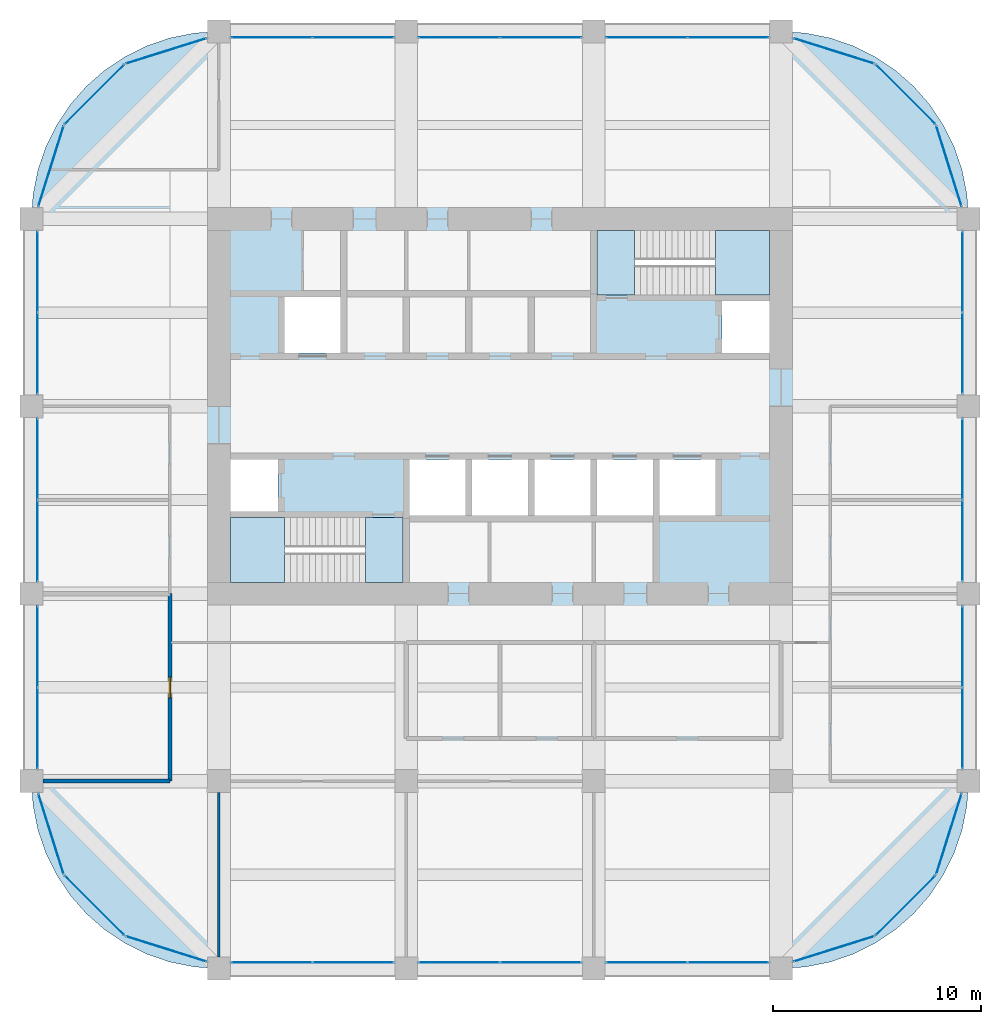
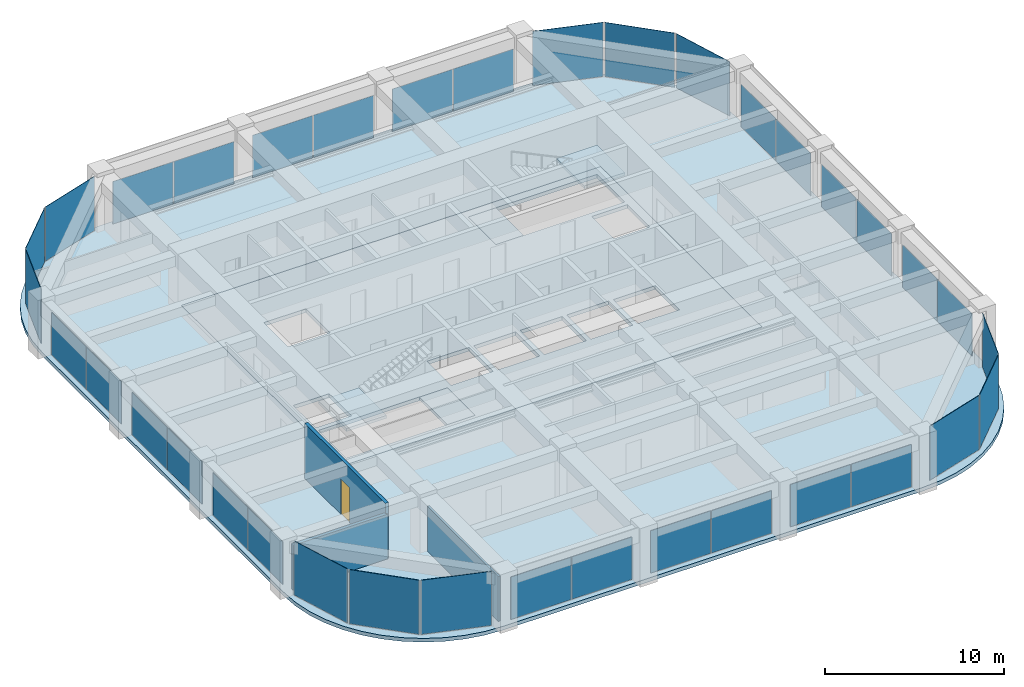
# One storey, part 40 of 44: 36 plates, 6 slabs, 3 walls, 1 door, 1 opening, 26 elements without a shape of their own.
"""IFC4 building model written with IfcOpenShell, lengths in metres."""

from ifc_helpers import new_model, si_unit, direction, frame, frame_2d, origin, origin_2d, place, context, subcontext, project, spatial, polyline, rectangle, outline, extrude, material, layer, layer_set, type_object, element, fill, aggregate, save


model = new_model("IFC4")

# Units and contexts
model_context = context("Model", 3, precision=1e-05, world=origin(), true_north=direction((0.0, 1.0)))
body_context = subcontext(model_context, "Body", "Model", "MODEL_VIEW")
ifc_project = project(units=[si_unit("LENGTHUNIT", "METRE"), si_unit("AREAUNIT", "SQUARE_METRE"), si_unit("VOLUMEUNIT", "CUBIC_METRE"), si_unit("PLANEANGLEUNIT", "RADIAN"), si_unit("MASSUNIT", "GRAM", prefix="KILO")], contexts=[model_context])

# Site, building, storey
site_placement = place(None, origin())
site = spatial("IfcSite", under=ifc_project, at=site_placement, CompositionType="ELEMENT")
building_placement = place(site_placement, origin())
building = spatial("IfcBuilding", under=site, at=building_placement, Name="Zorevar Civic Tower", CompositionType="ELEMENT")
storey_placement = place(building_placement, frame((0.0, 0.0, 263.39990234375)))
storey = spatial("IfcBuildingStorey", under=building, at=storey_placement, Name="L64", CompositionType="ELEMENT", Elevation=263.39990234375)

# Curtain wall, plates
ifc_material_1 = material(Name="Dark grey solar-control glass in black aluminium frame", Category="aluminium")
curtain_wall_type = type_object("IfcCurtainWallType", Name="Curtain wall CW5 top zone", PredefinedType="NOTDEFINED", material=ifc_material_1)
curtain_wall_1_placement = place(storey_placement, origin())
curtain_wall_1 = element("IfcCurtainWall", 1, at=curtain_wall_1_placement, inside=storey, type_object=curtain_wall_type, Name="CW5 L64", PredefinedType="NOTDEFINED")
ifc_material_2 = material(Name="Dark grey solar-control glass", Category="glass")
ifc_layer_1 = layer(ifc_material_2, 0.028076171875)
ifc_layer_set_1 = layer_set([ifc_layer_1], Name="CW5 panel 28")
plate_type = type_object("IfcPlateType", Name="CW5 panel 28", PredefinedType="CURTAIN_PANEL", material=ifc_layer_set_1)
plate_1_placement = place(storey_placement, frame((20.5400390625, 0.300048828125, 0.06005859375), z_axis=(0.0, 0.0, 1.0), x_axis=(1.0, 0.0, 0.0)))
plate_1 = element("IfcPlate", 2, at=plate_1_placement, type_object=plate_type, Name="CW5 panel 1.1", PredefinedType="CURTAIN_PANEL", context=body_context, shape_type="SweptSolid", body=[
    extrude(rectangle(XDim=3.860107421875, YDim=0.028076171875, at=origin_2d()), origin(), (0.0, 0.0, 1.0), 2.889892578125),
])
plate_2_placement = place(storey_placement, frame((24.4599609375, 0.300048828125, 0.06005859375), z_axis=(0.0, 0.0, 1.0), x_axis=(1.0, 0.0, 0.0)))
plate_2 = element("IfcPlate", 3, at=plate_2_placement, type_object=plate_type, Name="CW5 panel 2.1", PredefinedType="CURTAIN_PANEL", context=body_context, shape_type="SweptSolid", body=[
    extrude(rectangle(XDim=3.860107421875, YDim=0.028076171875, at=origin_2d()), origin(), (0.0, 0.0, 1.0), 2.889892578125),
])
aggregate(curtain_wall_1, [plate_1, plate_2])

curtain_wall_2_placement = place(storey_placement, origin())
curtain_wall_2 = element("IfcCurtainWall", 4, at=curtain_wall_2_placement, inside=storey, type_object=curtain_wall_type, Name="CW5 L64", PredefinedType="NOTDEFINED")
plate_3_placement = place(storey_placement, frame((20.5400390625, 44.699951171875, 0.06005859375), z_axis=(0.0, 0.0, 1.0), x_axis=(1.0, 0.0, 0.0)))
plate_3 = element("IfcPlate", 5, at=plate_3_placement, type_object=plate_type, Name="CW5 panel 1.1", PredefinedType="CURTAIN_PANEL", context=body_context, shape_type="SweptSolid", body=[
    extrude(rectangle(XDim=3.860107421875, YDim=0.028076171875, at=origin_2d()), origin(), (0.0, 0.0, 1.0), 2.889892578125),
])
plate_4_placement = place(storey_placement, frame((24.4599609375, 44.699951171875, 0.06005859375), z_axis=(0.0, 0.0, 1.0), x_axis=(1.0, 0.0, 0.0)))
plate_4 = element("IfcPlate", 6, at=plate_4_placement, type_object=plate_type, Name="CW5 panel 2.1", PredefinedType="CURTAIN_PANEL", context=body_context, shape_type="SweptSolid", body=[
    extrude(rectangle(XDim=3.860107421875, YDim=0.028076171875, at=origin_2d()), origin(), (0.0, 0.0, 1.0), 2.889892578125),
])
aggregate(curtain_wall_2, [plate_3, plate_4])

curtain_wall_3_placement = place(storey_placement, origin())
curtain_wall_3 = element("IfcCurtainWall", 7, at=curtain_wall_3_placement, inside=storey, type_object=curtain_wall_type, Name="CW5 L64", PredefinedType="NOTDEFINED")
plate_5_placement = place(storey_placement, frame((29.5400390625, 0.300048828125, 0.06005859375), z_axis=(0.0, 0.0, 1.0), x_axis=(1.0, 0.0, 0.0)))
plate_5 = element("IfcPlate", 8, at=plate_5_placement, type_object=plate_type, Name="CW5 panel 1.1", PredefinedType="CURTAIN_PANEL", context=body_context, shape_type="SweptSolid", body=[
    extrude(rectangle(XDim=3.860107421875, YDim=0.028076171875, at=origin_2d()), origin(), (0.0, 0.0, 1.0), 2.889892578125),
])
plate_6_placement = place(storey_placement, frame((33.4599609375, 0.300048828125, 0.06005859375), z_axis=(0.0, 0.0, 1.0), x_axis=(1.0, 0.0, 0.0)))
plate_6 = element("IfcPlate", 9, at=plate_6_placement, type_object=plate_type, Name="CW5 panel 2.1", PredefinedType="CURTAIN_PANEL", context=body_context, shape_type="SweptSolid", body=[
    extrude(rectangle(XDim=3.860107421875, YDim=0.028076171875, at=origin_2d()), origin(), (0.0, 0.0, 1.0), 2.889892578125),
])
aggregate(curtain_wall_3, [plate_5, plate_6])

curtain_wall_4_placement = place(storey_placement, origin())
curtain_wall_4 = element("IfcCurtainWall", 10, at=curtain_wall_4_placement, inside=storey, type_object=curtain_wall_type, Name="CW5 L64", PredefinedType="NOTDEFINED")
plate_7_placement = place(storey_placement, frame((29.5400390625, 44.699951171875, 0.06005859375), z_axis=(0.0, 0.0, 1.0), x_axis=(1.0, 0.0, 0.0)))
plate_7 = element("IfcPlate", 11, at=plate_7_placement, type_object=plate_type, Name="CW5 panel 1.1", PredefinedType="CURTAIN_PANEL", context=body_context, shape_type="SweptSolid", body=[
    extrude(rectangle(XDim=3.860107421875, YDim=0.028076171875, at=origin_2d()), origin(), (0.0, 0.0, 1.0), 2.889892578125),
])
plate_8_placement = place(storey_placement, frame((33.4599609375, 44.699951171875, 0.06005859375), z_axis=(0.0, 0.0, 1.0), x_axis=(1.0, 0.0, 0.0)))
plate_8 = element("IfcPlate", 12, at=plate_8_placement, type_object=plate_type, Name="CW5 panel 2.1", PredefinedType="CURTAIN_PANEL", context=body_context, shape_type="SweptSolid", body=[
    extrude(rectangle(XDim=3.860107421875, YDim=0.028076171875, at=origin_2d()), origin(), (0.0, 0.0, 1.0), 2.889892578125),
])
aggregate(curtain_wall_4, [plate_7, plate_8])

curtain_wall_5_placement = place(storey_placement, origin())
curtain_wall_5 = element("IfcCurtainWall", 13, at=curtain_wall_5_placement, inside=storey, type_object=curtain_wall_type, Name="CW5 L64", PredefinedType="NOTDEFINED")
plate_9_placement = place(storey_placement, frame((38.5400390625, 0.300048828125, 0.06005859375), z_axis=(0.0, 0.0, 1.0), x_axis=(1.0, 0.0, 0.0)))
plate_9 = element("IfcPlate", 14, at=plate_9_placement, type_object=plate_type, Name="CW5 panel 1.1", PredefinedType="CURTAIN_PANEL", context=body_context, shape_type="SweptSolid", body=[
    extrude(rectangle(XDim=3.860107421875, YDim=0.028076171875, at=origin_2d()), origin(), (0.0, 0.0, 1.0), 2.889892578125),
])
plate_10_placement = place(storey_placement, frame((42.4599609375, 0.300048828125, 0.06005859375), z_axis=(0.0, 0.0, 1.0), x_axis=(1.0, 0.0, 0.0)))
plate_10 = element("IfcPlate", 15, at=plate_10_placement, type_object=plate_type, Name="CW5 panel 2.1", PredefinedType="CURTAIN_PANEL", context=body_context, shape_type="SweptSolid", body=[
    extrude(rectangle(XDim=3.860107421875, YDim=0.028076171875, at=origin_2d()), origin(), (0.0, 0.0, 1.0), 2.889892578125),
])
aggregate(curtain_wall_5, [plate_9, plate_10])

curtain_wall_6_placement = place(storey_placement, origin())
curtain_wall_6 = element("IfcCurtainWall", 16, at=curtain_wall_6_placement, inside=storey, type_object=curtain_wall_type, Name="CW5 L64", PredefinedType="NOTDEFINED")
plate_11_placement = place(storey_placement, frame((38.5400390625, 44.699951171875, 0.06005859375), z_axis=(0.0, 0.0, 1.0), x_axis=(1.0, 0.0, 0.0)))
plate_11 = element("IfcPlate", 17, at=plate_11_placement, type_object=plate_type, Name="CW5 panel 1.1", PredefinedType="CURTAIN_PANEL", context=body_context, shape_type="SweptSolid", body=[
    extrude(rectangle(XDim=3.860107421875, YDim=0.028076171875, at=origin_2d()), origin(), (0.0, 0.0, 1.0), 2.889892578125),
])
plate_12_placement = place(storey_placement, frame((42.4599609375, 44.699951171875, 0.06005859375), z_axis=(0.0, 0.0, 1.0), x_axis=(1.0, 0.0, 0.0)))
plate_12 = element("IfcPlate", 18, at=plate_12_placement, type_object=plate_type, Name="CW5 panel 2.1", PredefinedType="CURTAIN_PANEL", context=body_context, shape_type="SweptSolid", body=[
    extrude(rectangle(XDim=3.860107421875, YDim=0.028076171875, at=origin_2d()), origin(), (0.0, 0.0, 1.0), 2.889892578125),
])
aggregate(curtain_wall_6, [plate_11, plate_12])

curtain_wall_7_placement = place(storey_placement, origin())
curtain_wall_7 = element("IfcCurtainWall", 19, at=curtain_wall_7_placement, inside=storey, type_object=curtain_wall_type, Name="CW5 L64", PredefinedType="NOTDEFINED")
plate_13_placement = place(storey_placement, frame((9.300048828125, 11.5400390625, 0.06005859375), z_axis=(0.0, 0.0, 1.0), x_axis=(0.0, 1.0, 0.0)))
plate_13 = element("IfcPlate", 20, at=plate_13_placement, type_object=plate_type, Name="CW5 panel 1.1", PredefinedType="CURTAIN_PANEL", context=body_context, shape_type="SweptSolid", body=[
    extrude(rectangle(XDim=3.860107421875, YDim=0.028076171875, at=origin_2d()), origin(), (0.0, 0.0, 1.0), 2.889892578125),
])
plate_14_placement = place(storey_placement, frame((9.300048828125, 15.4599609375, 0.06005859375), z_axis=(0.0, 0.0, 1.0), x_axis=(0.0, 1.0, 0.0)))
plate_14 = element("IfcPlate", 21, at=plate_14_placement, type_object=plate_type, Name="CW5 panel 2.1", PredefinedType="CURTAIN_PANEL", context=body_context, shape_type="SweptSolid", body=[
    extrude(rectangle(XDim=3.860107421875, YDim=0.028076171875, at=origin_2d()), origin(), (0.0, 0.0, 1.0), 2.889892578125),
])
aggregate(curtain_wall_7, [plate_13, plate_14])

curtain_wall_8_placement = place(storey_placement, origin())
curtain_wall_8 = element("IfcCurtainWall", 22, at=curtain_wall_8_placement, inside=storey, type_object=curtain_wall_type, Name="CW5 L64", PredefinedType="NOTDEFINED")
plate_15_placement = place(storey_placement, frame((53.699951171875, 11.5400390625, 0.06005859375), z_axis=(0.0, 0.0, 1.0), x_axis=(0.0, 1.0, 0.0)))
plate_15 = element("IfcPlate", 23, at=plate_15_placement, type_object=plate_type, Name="CW5 panel 1.1", PredefinedType="CURTAIN_PANEL", context=body_context, shape_type="SweptSolid", body=[
    extrude(rectangle(XDim=3.860107421875, YDim=0.028076171875, at=origin_2d()), origin(), (0.0, 0.0, 1.0), 2.889892578125),
])
plate_16_placement = place(storey_placement, frame((53.699951171875, 15.4599609375, 0.06005859375), z_axis=(0.0, 0.0, 1.0), x_axis=(0.0, 1.0, 0.0)))
plate_16 = element("IfcPlate", 24, at=plate_16_placement, type_object=plate_type, Name="CW5 panel 2.1", PredefinedType="CURTAIN_PANEL", context=body_context, shape_type="SweptSolid", body=[
    extrude(rectangle(XDim=3.860107421875, YDim=0.028076171875, at=origin_2d()), origin(), (0.0, 0.0, 1.0), 2.889892578125),
])
aggregate(curtain_wall_8, [plate_15, plate_16])

curtain_wall_9_placement = place(storey_placement, origin())
curtain_wall_9 = element("IfcCurtainWall", 25, at=curtain_wall_9_placement, inside=storey, type_object=curtain_wall_type, Name="CW5 L64", PredefinedType="NOTDEFINED")
plate_17_placement = place(storey_placement, frame((9.300048828125, 20.5400390625, 0.06005859375), z_axis=(0.0, 0.0, 1.0), x_axis=(0.0, 1.0, 0.0)))
plate_17 = element("IfcPlate", 26, at=plate_17_placement, type_object=plate_type, Name="CW5 panel 1.1", PredefinedType="CURTAIN_PANEL", context=body_context, shape_type="SweptSolid", body=[
    extrude(rectangle(XDim=3.860107421875, YDim=0.028076171875, at=origin_2d()), origin(), (0.0, 0.0, 1.0), 2.889892578125),
])
plate_18_placement = place(storey_placement, frame((9.300048828125, 24.4599609375, 0.06005859375), z_axis=(0.0, 0.0, 1.0), x_axis=(0.0, 1.0, 0.0)))
plate_18 = element("IfcPlate", 27, at=plate_18_placement, type_object=plate_type, Name="CW5 panel 2.1", PredefinedType="CURTAIN_PANEL", context=body_context, shape_type="SweptSolid", body=[
    extrude(rectangle(XDim=3.860107421875, YDim=0.028076171875, at=origin_2d()), origin(), (0.0, 0.0, 1.0), 2.889892578125),
])
aggregate(curtain_wall_9, [plate_17, plate_18])

curtain_wall_10_placement = place(storey_placement, origin())
curtain_wall_10 = element("IfcCurtainWall", 28, at=curtain_wall_10_placement, inside=storey, type_object=curtain_wall_type, Name="CW5 L64", PredefinedType="NOTDEFINED")
plate_19_placement = place(storey_placement, frame((53.699951171875, 20.5400390625, 0.06005859375), z_axis=(0.0, 0.0, 1.0), x_axis=(0.0, 1.0, 0.0)))
plate_19 = element("IfcPlate", 29, at=plate_19_placement, type_object=plate_type, Name="CW5 panel 1.1", PredefinedType="CURTAIN_PANEL", context=body_context, shape_type="SweptSolid", body=[
    extrude(rectangle(XDim=3.860107421875, YDim=0.028076171875, at=origin_2d()), origin(), (0.0, 0.0, 1.0), 2.889892578125),
])
plate_20_placement = place(storey_placement, frame((53.699951171875, 24.4599609375, 0.06005859375), z_axis=(0.0, 0.0, 1.0), x_axis=(0.0, 1.0, 0.0)))
plate_20 = element("IfcPlate", 30, at=plate_20_placement, type_object=plate_type, Name="CW5 panel 2.1", PredefinedType="CURTAIN_PANEL", context=body_context, shape_type="SweptSolid", body=[
    extrude(rectangle(XDim=3.860107421875, YDim=0.028076171875, at=origin_2d()), origin(), (0.0, 0.0, 1.0), 2.889892578125),
])
aggregate(curtain_wall_10, [plate_19, plate_20])

curtain_wall_11_placement = place(storey_placement, origin())
curtain_wall_11 = element("IfcCurtainWall", 31, at=curtain_wall_11_placement, inside=storey, type_object=curtain_wall_type, Name="CW5 L64", PredefinedType="NOTDEFINED")
plate_21_placement = place(storey_placement, frame((9.300048828125, 29.5400390625, 0.06005859375), z_axis=(0.0, 0.0, 1.0), x_axis=(0.0, 1.0, 0.0)))
plate_21 = element("IfcPlate", 32, at=plate_21_placement, type_object=plate_type, Name="CW5 panel 1.1", PredefinedType="CURTAIN_PANEL", context=body_context, shape_type="SweptSolid", body=[
    extrude(rectangle(XDim=3.860107421875, YDim=0.028076171875, at=origin_2d()), origin(), (0.0, 0.0, 1.0), 2.889892578125),
])
plate_22_placement = place(storey_placement, frame((9.300048828125, 33.4599609375, 0.06005859375), z_axis=(0.0, 0.0, 1.0), x_axis=(0.0, 1.0, 0.0)))
plate_22 = element("IfcPlate", 33, at=plate_22_placement, type_object=plate_type, Name="CW5 panel 2.1", PredefinedType="CURTAIN_PANEL", context=body_context, shape_type="SweptSolid", body=[
    extrude(rectangle(XDim=3.860107421875, YDim=0.028076171875, at=origin_2d()), origin(), (0.0, 0.0, 1.0), 2.889892578125),
])
aggregate(curtain_wall_11, [plate_21, plate_22])

curtain_wall_12_placement = place(storey_placement, origin())
curtain_wall_12 = element("IfcCurtainWall", 34, at=curtain_wall_12_placement, inside=storey, type_object=curtain_wall_type, Name="CW5 L64", PredefinedType="NOTDEFINED")
plate_23_placement = place(storey_placement, frame((53.699951171875, 29.5400390625, 0.06005859375), z_axis=(0.0, 0.0, 1.0), x_axis=(0.0, 1.0, 0.0)))
plate_23 = element("IfcPlate", 35, at=plate_23_placement, type_object=plate_type, Name="CW5 panel 1.1", PredefinedType="CURTAIN_PANEL", context=body_context, shape_type="SweptSolid", body=[
    extrude(rectangle(XDim=3.860107421875, YDim=0.028076171875, at=origin_2d()), origin(), (0.0, 0.0, 1.0), 2.889892578125),
])
plate_24_placement = place(storey_placement, frame((53.699951171875, 33.4599609375, 0.06005859375), z_axis=(0.0, 0.0, 1.0), x_axis=(0.0, 1.0, 0.0)))
plate_24 = element("IfcPlate", 36, at=plate_24_placement, type_object=plate_type, Name="CW5 panel 2.1", PredefinedType="CURTAIN_PANEL", context=body_context, shape_type="SweptSolid", body=[
    extrude(rectangle(XDim=3.860107421875, YDim=0.028076171875, at=origin_2d()), origin(), (0.0, 0.0, 1.0), 2.889892578125),
])
aggregate(curtain_wall_12, [plate_23, plate_24])

# Curtain wall, plate
curtain_wall_13_placement = place(storey_placement, origin())
curtain_wall_13 = element("IfcCurtainWall", 37, at=curtain_wall_13_placement, inside=storey, type_object=curtain_wall_type, Name="CW5 L64", PredefinedType="NOTDEFINED")
plate_25_placement = place(storey_placement, frame((47.52880859375, 0.938232421875, 0.06005859375), z_axis=(0.0, 0.0, 1.0), x_axis=(0.954153437674, 0.299317920238, 0.0)))
plate_25 = element("IfcPlate", 38, at=plate_25_placement, type_object=plate_type, Name="CW5 panel 1.1", PredefinedType="CURTAIN_PANEL", context=body_context, shape_type="SweptSolid", body=[
    extrude(rectangle(XDim=4.028076171875, YDim=0.028076171875, at=origin_2d()), origin(), (0.0, 0.0, 1.0), 3.68994140625),
])
aggregate(curtain_wall_13, [plate_25])

curtain_wall_14_placement = place(storey_placement, origin())
curtain_wall_14 = element("IfcCurtainWall", 39, at=curtain_wall_14_placement, inside=storey, type_object=curtain_wall_type, Name="CW5 L64", PredefinedType="NOTDEFINED")
plate_26_placement = place(storey_placement, frame((50.974365234375, 3.025634765625, 0.06005859375), z_axis=(0.0, 0.0, 1.0), x_axis=(0.707106781187, 0.707106781187, 0.0)))
plate_26 = element("IfcPlate", 40, at=plate_26_placement, type_object=plate_type, Name="CW5 panel 1.1", PredefinedType="CURTAIN_PANEL", context=body_context, shape_type="SweptSolid", body=[
    extrude(rectangle(XDim=4.028076171875, YDim=0.028076171875, at=origin_2d()), origin(), (0.0, 0.0, 1.0), 3.68994140625),
])
aggregate(curtain_wall_14, [plate_26])

curtain_wall_15_placement = place(storey_placement, origin())
curtain_wall_15 = element("IfcCurtainWall", 41, at=curtain_wall_15_placement, inside=storey, type_object=curtain_wall_type, Name="CW5 L64", PredefinedType="NOTDEFINED")
plate_27_placement = place(storey_placement, frame((53.061767578125, 6.47119140625, 0.06005859375), z_axis=(0.0, 0.0, 1.0), x_axis=(0.299317920238, 0.954153437674, 0.0)))
plate_27 = element("IfcPlate", 42, at=plate_27_placement, type_object=plate_type, Name="CW5 panel 1.1", PredefinedType="CURTAIN_PANEL", context=body_context, shape_type="SweptSolid", body=[
    extrude(rectangle(XDim=4.028076171875, YDim=0.028076171875, at=origin_2d()), origin(), (0.0, 0.0, 1.0), 3.68994140625),
])
aggregate(curtain_wall_15, [plate_27])

curtain_wall_16_placement = place(storey_placement, origin())
curtain_wall_16 = element("IfcCurtainWall", 43, at=curtain_wall_16_placement, inside=storey, type_object=curtain_wall_type, Name="CW5 L64", PredefinedType="NOTDEFINED")
plate_28_placement = place(storey_placement, frame((53.061767578125, 38.52880859375, 0.06005859375), z_axis=(0.0, 0.0, 1.0), x_axis=(-0.299317920238, 0.954153437674, 0.0)))
plate_28 = element("IfcPlate", 44, at=plate_28_placement, type_object=plate_type, Name="CW5 panel 1.1", PredefinedType="CURTAIN_PANEL", context=body_context, shape_type="SweptSolid", body=[
    extrude(rectangle(XDim=4.028076171875, YDim=0.028076171875, at=origin_2d()), origin(), (0.0, 0.0, 1.0), 3.68994140625),
])
aggregate(curtain_wall_16, [plate_28])

curtain_wall_17_placement = place(storey_placement, origin())
curtain_wall_17 = element("IfcCurtainWall", 45, at=curtain_wall_17_placement, inside=storey, type_object=curtain_wall_type, Name="CW5 L64", PredefinedType="NOTDEFINED")
plate_29_placement = place(storey_placement, frame((50.974365234375, 41.974365234375, 0.06005859375), z_axis=(0.0, 0.0, 1.0), x_axis=(-0.707106781187, 0.707106781187, 0.0)))
plate_29 = element("IfcPlate", 46, at=plate_29_placement, type_object=plate_type, Name="CW5 panel 1.1", PredefinedType="CURTAIN_PANEL", context=body_context, shape_type="SweptSolid", body=[
    extrude(rectangle(XDim=4.028076171875, YDim=0.028076171875, at=origin_2d()), origin(), (0.0, 0.0, 1.0), 3.68994140625),
])
aggregate(curtain_wall_17, [plate_29])

curtain_wall_18_placement = place(storey_placement, origin())
curtain_wall_18 = element("IfcCurtainWall", 47, at=curtain_wall_18_placement, inside=storey, type_object=curtain_wall_type, Name="CW5 L64", PredefinedType="NOTDEFINED")
plate_30_placement = place(storey_placement, frame((47.52880859375, 44.061767578125, 0.06005859375), z_axis=(0.0, 0.0, 1.0), x_axis=(-0.954153437674, 0.299317920238, 0.0)))
plate_30 = element("IfcPlate", 48, at=plate_30_placement, type_object=plate_type, Name="CW5 panel 1.1", PredefinedType="CURTAIN_PANEL", context=body_context, shape_type="SweptSolid", body=[
    extrude(rectangle(XDim=4.028076171875, YDim=0.028076171875, at=origin_2d()), origin(), (0.0, 0.0, 1.0), 3.68994140625),
])
aggregate(curtain_wall_18, [plate_30])

curtain_wall_19_placement = place(storey_placement, origin())
curtain_wall_19 = element("IfcCurtainWall", 49, at=curtain_wall_19_placement, inside=storey, type_object=curtain_wall_type, Name="CW5 L64", PredefinedType="NOTDEFINED")
plate_31_placement = place(storey_placement, frame((15.47119140625, 44.061767578125, 0.06005859375), z_axis=(0.0, 0.0, 1.0), x_axis=(-0.954153437674, -0.299317920238, 0.0)))
plate_31 = element("IfcPlate", 50, at=plate_31_placement, type_object=plate_type, Name="CW5 panel 1.1", PredefinedType="CURTAIN_PANEL", context=body_context, shape_type="SweptSolid", body=[
    extrude(rectangle(XDim=4.028076171875, YDim=0.028076171875, at=origin_2d()), origin(), (0.0, 0.0, 1.0), 3.68994140625),
])
aggregate(curtain_wall_19, [plate_31])

curtain_wall_20_placement = place(storey_placement, origin())
curtain_wall_20 = element("IfcCurtainWall", 51, at=curtain_wall_20_placement, inside=storey, type_object=curtain_wall_type, Name="CW5 L64", PredefinedType="NOTDEFINED")
plate_32_placement = place(storey_placement, frame((12.025634765625, 41.974365234375, 0.06005859375), z_axis=(0.0, 0.0, 1.0), x_axis=(-0.707106781187, -0.707106781187, 0.0)))
plate_32 = element("IfcPlate", 52, at=plate_32_placement, type_object=plate_type, Name="CW5 panel 1.1", PredefinedType="CURTAIN_PANEL", context=body_context, shape_type="SweptSolid", body=[
    extrude(rectangle(XDim=4.028076171875, YDim=0.028076171875, at=origin_2d()), origin(), (0.0, 0.0, 1.0), 3.68994140625),
])
aggregate(curtain_wall_20, [plate_32])

curtain_wall_21_placement = place(storey_placement, origin())
curtain_wall_21 = element("IfcCurtainWall", 53, at=curtain_wall_21_placement, inside=storey, type_object=curtain_wall_type, Name="CW5 L64", PredefinedType="NOTDEFINED")
plate_33_placement = place(storey_placement, frame((9.938232421875, 38.52880859375, 0.06005859375), z_axis=(0.0, 0.0, 1.0), x_axis=(-0.299317920238, -0.954153437674, 0.0)))
plate_33 = element("IfcPlate", 54, at=plate_33_placement, type_object=plate_type, Name="CW5 panel 1.1", PredefinedType="CURTAIN_PANEL", context=body_context, shape_type="SweptSolid", body=[
    extrude(rectangle(XDim=4.028076171875, YDim=0.028076171875, at=origin_2d()), origin(), (0.0, 0.0, 1.0), 3.68994140625),
])
aggregate(curtain_wall_21, [plate_33])

curtain_wall_22_placement = place(storey_placement, origin())
curtain_wall_22 = element("IfcCurtainWall", 55, at=curtain_wall_22_placement, inside=storey, type_object=curtain_wall_type, Name="CW5 L64", PredefinedType="NOTDEFINED")
plate_34_placement = place(storey_placement, frame((9.938232421875, 6.47119140625, 0.06005859375), z_axis=(0.0, 0.0, 1.0), x_axis=(0.299317920238, -0.954153437674, 0.0)))
plate_34 = element("IfcPlate", 56, at=plate_34_placement, type_object=plate_type, Name="CW5 panel 1.1", PredefinedType="CURTAIN_PANEL", context=body_context, shape_type="SweptSolid", body=[
    extrude(rectangle(XDim=4.028076171875, YDim=0.028076171875, at=origin_2d()), origin(), (0.0, 0.0, 1.0), 3.68994140625),
])
aggregate(curtain_wall_22, [plate_34])

curtain_wall_23_placement = place(storey_placement, origin())
curtain_wall_23 = element("IfcCurtainWall", 57, at=curtain_wall_23_placement, inside=storey, type_object=curtain_wall_type, Name="CW5 L64", PredefinedType="NOTDEFINED")
plate_35_placement = place(storey_placement, frame((12.025634765625, 3.025634765625, 0.06005859375), z_axis=(0.0, 0.0, 1.0), x_axis=(0.707106781187, -0.707106781187, 0.0)))
plate_35 = element("IfcPlate", 58, at=plate_35_placement, type_object=plate_type, Name="CW5 panel 1.1", PredefinedType="CURTAIN_PANEL", context=body_context, shape_type="SweptSolid", body=[
    extrude(rectangle(XDim=4.028076171875, YDim=0.028076171875, at=origin_2d()), origin(), (0.0, 0.0, 1.0), 3.68994140625),
])
aggregate(curtain_wall_23, [plate_35])

curtain_wall_24_placement = place(storey_placement, origin())
curtain_wall_24 = element("IfcCurtainWall", 59, at=curtain_wall_24_placement, inside=storey, type_object=curtain_wall_type, Name="CW5 L64", PredefinedType="NOTDEFINED")
plate_36_placement = place(storey_placement, frame((15.47119140625, 0.938232421875, 0.06005859375), z_axis=(0.0, 0.0, 1.0), x_axis=(0.954153437674, -0.299317920238, 0.0)))
plate_36 = element("IfcPlate", 60, at=plate_36_placement, type_object=plate_type, Name="CW5 panel 1.1", PredefinedType="CURTAIN_PANEL", context=body_context, shape_type="SweptSolid", body=[
    extrude(rectangle(XDim=4.028076171875, YDim=0.028076171875, at=origin_2d()), origin(), (0.0, 0.0, 1.0), 3.68994140625),
])
aggregate(curtain_wall_24, [plate_36])

# Slabs
ifc_material_3 = material(Name="Concrete C40/50", Category="concrete")
ifc_layer_2 = layer(ifc_material_3, 0.25)
ifc_layer_set_2 = layer_set([ifc_layer_2], Name="Floor slab 250")
slab_type_1 = type_object("IfcSlabType", Name="Floor slab 250", PredefinedType="FLOOR", material=ifc_layer_set_2)
slab_1_placement = place(storey_placement, frame((0.0, 0.0, -0.25)))
element("IfcSlab", 61, at=slab_1_placement, inside=storey, type_object=slab_type_1, Name="Floor slab L64", PredefinedType="FLOOR", context=body_context, shape_type="SweptSolid", body=[
    extrude(outline(polyline([(45.0, 0.0), (46.1748046875, 0.076904296875), (47.329345703125, 0.306640625), (48.444091796875, 0.68505859375), (49.5, 1.205810546875), (50.478759765625, 1.85986328125), (51.364013671875, 2.635986328125), (52.14013671875, 3.521240234375), (52.794189453125, 4.5), (53.31494140625, 5.555908203125), (53.693359375, 6.670654296875), (53.923095703125, 7.8251953125), (54.0, 9.0), (54.0, 36.0), (53.923095703125, 37.1748046875), (53.693359375, 38.329345703125), (53.31494140625, 39.444091796875), (52.794189453125, 40.5), (52.14013671875, 41.478759765625), (51.364013671875, 42.364013671875), (50.478759765625, 43.14013671875), (49.5, 43.794189453125), (48.444091796875, 44.31494140625), (47.329345703125, 44.693359375), (46.1748046875, 44.923095703125), (45.0, 45.0), (18.0, 45.0), (16.8251953125, 44.923095703125), (15.670654296875, 44.693359375), (14.555908203125, 44.31494140625), (13.5, 43.794189453125), (12.521240234375, 43.14013671875), (11.635986328125, 42.364013671875), (10.85986328125, 41.478759765625), (10.205810546875, 40.5), (9.68505859375, 39.444091796875), (9.306640625, 38.329345703125), (9.076904296875, 37.1748046875), (9.0, 36.0), (9.0, 9.0), (9.076904296875, 7.8251953125), (9.306640625, 6.670654296875), (9.68505859375, 5.555908203125), (10.205810546875, 4.5), (10.85986328125, 3.521240234375), (11.635986328125, 2.635986328125), (12.521240234375, 1.85986328125), (13.5, 1.205810546875), (14.555908203125, 0.68505859375), (15.670654296875, 0.306640625), (16.8251953125, 0.076904296875), (18.0, 0.0), (45.0, 0.0)]), holes=[polyline([(18.0, 18.0), (45.0, 18.0), (45.0, 36.0), (18.0, 36.0), (18.0, 18.0)])]), origin(), (0.0, 0.0, 1.0), 0.25),
])
slab_2_placement = place(storey_placement, frame((0.0, 0.0, -0.25)))
element("IfcSlab", 62, at=slab_2_placement, inside=storey, type_object=slab_type_1, Name="Core floor L64", PredefinedType="FLOOR", context=body_context, shape_type="SweptSolid", body=[
    extrude(outline(polyline([(18.0, 18.0), (45.0, 18.0), (45.0, 36.0), (18.0, 36.0), (18.0, 18.0)]), holes=[polyline([(18.550048828125, 18.550048828125), (26.85009765625, 18.550048828125), (26.85009765625, 21.64990234375), (18.550048828125, 21.64990234375), (18.550048828125, 18.550048828125)]), polyline([(36.14990234375, 32.35009765625), (44.449951171875, 32.35009765625), (44.449951171875, 35.449951171875), (36.14990234375, 35.449951171875), (36.14990234375, 32.35009765625)]), polyline([(18.550048828125, 21.949951171875), (20.85009765625, 21.949951171875), (20.85009765625, 24.449951171875), (18.550048828125, 24.449951171875), (18.550048828125, 21.949951171875)]), polyline([(42.14990234375, 29.550048828125), (44.449951171875, 29.550048828125), (44.449951171875, 32.050048828125), (42.14990234375, 32.050048828125), (42.14990234375, 29.550048828125)]), polyline([(27.14990234375, 21.75), (29.85009765625, 21.75), (29.85009765625, 24.449951171875), (27.14990234375, 24.449951171875), (27.14990234375, 21.75)]), polyline([(30.14990234375, 21.75), (32.85009765625, 21.75), (32.85009765625, 24.449951171875), (30.14990234375, 24.449951171875), (30.14990234375, 21.75)]), polyline([(33.14990234375, 21.75), (35.85009765625, 21.75), (35.85009765625, 24.449951171875), (33.14990234375, 24.449951171875), (33.14990234375, 21.75)]), polyline([(36.14990234375, 21.75), (38.85009765625, 21.75), (38.85009765625, 24.449951171875), (36.14990234375, 24.449951171875), (36.14990234375, 21.75)]), polyline([(39.14990234375, 21.75), (41.85009765625, 21.75), (41.85009765625, 24.449951171875), (39.14990234375, 24.449951171875), (39.14990234375, 21.75)]), polyline([(21.14990234375, 29.550048828125), (23.85009765625, 29.550048828125), (23.85009765625, 32.25), (21.14990234375, 32.25), (21.14990234375, 29.550048828125)])]), origin(), (0.0, 0.0, 1.0), 0.25),
])

# Stair, slabs
ifc_material_4 = material(Name="Precast concrete C40/50", Category="concrete")
stair_type = type_object("IfcStairType", Name="Stair ST 28R", PredefinedType="HALF_TURN_STAIR", material=ifc_material_4)
stair_1_placement = place(storey_placement, origin())
stair_1 = element("IfcStair", 63, at=stair_1_placement, inside=storey, type_object=stair_type, Name="Stair ST1 L64", PredefinedType="HALF_TURN_STAIR")
ifc_material_5 = material(Name="Concrete C40/50", Category="concrete")
ifc_layer_3 = layer(ifc_material_5, 0.199951171875)
ifc_layer_set_3 = layer_set([ifc_layer_3], Name="Stair landing 200")
slab_type_2 = type_object("IfcSlabType", Name="Stair landing 200", PredefinedType="LANDING", material=ifc_layer_set_3)
slab_3_placement = place(storey_placement, frame((0.0, 0.0, -0.199951171875)))
slab_3 = element("IfcSlab", 64, at=slab_3_placement, type_object=slab_type_2, Name="ST1 landing 1", PredefinedType="LANDING", context=body_context, shape_type="SweptSolid", body=[
    extrude(outline(polyline([(25.050048828125, 18.550048828125), (26.85009765625, 18.550048828125), (26.85009765625, 21.64990234375), (25.050048828125, 21.64990234375), (25.050048828125, 18.550048828125)])), origin(), (0.0, 0.0, 1.0), 0.199951171875),
])
slab_4_placement = place(storey_placement, frame((0.0, 0.0, 1.800048828125)))
slab_4 = element("IfcSlab", 65, at=slab_4_placement, type_object=slab_type_2, Name="ST1 landing 2", PredefinedType="LANDING", context=body_context, shape_type="SweptSolid", body=[
    extrude(outline(polyline([(18.550048828125, 18.550048828125), (21.14990234375, 18.550048828125), (21.14990234375, 21.64990234375), (18.550048828125, 21.64990234375), (18.550048828125, 18.550048828125)])), origin(), (0.0, 0.0, 1.0), 0.199951171875),
])
aggregate(stair_1, [slab_3, slab_4])

stair_2_placement = place(storey_placement, origin())
stair_2 = element("IfcStair", 66, at=stair_2_placement, inside=storey, type_object=stair_type, Name="Stair ST2 L64", PredefinedType="HALF_TURN_STAIR")
slab_5_placement = place(storey_placement, frame((0.0, 0.0, -0.199951171875)))
slab_5 = element("IfcSlab", 67, at=slab_5_placement, type_object=slab_type_2, Name="ST2 landing 1", PredefinedType="LANDING", context=body_context, shape_type="SweptSolid", body=[
    extrude(outline(polyline([(37.949951171875, 32.35009765625), (36.14990234375, 32.35009765625), (36.14990234375, 35.449951171875), (37.949951171875, 35.449951171875), (37.949951171875, 32.35009765625)])), origin(), (0.0, 0.0, 1.0), 0.199951171875),
])
slab_6_placement = place(storey_placement, frame((0.0, 0.0, 1.800048828125)))
slab_6 = element("IfcSlab", 68, at=slab_6_placement, type_object=slab_type_2, Name="ST2 landing 2", PredefinedType="LANDING", context=body_context, shape_type="SweptSolid", body=[
    extrude(outline(polyline([(44.449951171875, 32.35009765625), (41.85009765625, 32.35009765625), (41.85009765625, 35.449951171875), (44.449951171875, 35.449951171875), (44.449951171875, 32.35009765625)])), origin(), (0.0, 0.0, 1.0), 0.199951171875),
])
aggregate(stair_2, [slab_5, slab_6])

# Wall
ifc_material_6 = material(Name="Concrete blockwork", Category="masonry")
ifc_layer_4 = layer(ifc_material_6, 0.199951171875)
ifc_layer_set_4 = layer_set([ifc_layer_4], Name="Blockwork wall 200")
wall_type_1 = type_object("IfcWallType", Name="Blockwork wall 200", PredefinedType="SOLIDWALL", material=ifc_layer_set_4)
wall_1_placement = place(storey_placement, frame((9.550048828125, 9.0, 0.0), z_axis=(0.0, 0.0, 1.0), x_axis=(1.0, 0.0, 0.0)))
element("IfcWall", 69, at=wall_1_placement, inside=storey, type_object=wall_type_1, Name="Blockwork wall 200 L64", PredefinedType="SOLIDWALL", context=body_context, shape_type="SweptSolid", body=[
    extrude(rectangle(XDim=6.099853515625, YDim=0.199951171875, at=frame_2d((3.0498046875, 0.0))), origin(), (0.0, 0.0, 1.0), 3.050048828125),
])

# Wall, opening, door
wall_2_placement = place(storey_placement, frame((15.64990234375, 9.0, 0.0), z_axis=(0.0, 0.0, 1.0), x_axis=(0.0, 1.0, 0.0)))
wall_2 = element("IfcWall", 70, at=wall_2_placement, inside=storey, type_object=wall_type_1, Name="Blockwork wall 200 L64", PredefinedType="SOLIDWALL", context=body_context, shape_type="SweptSolid", body=[
    extrude(rectangle(XDim=9.0, YDim=0.199951171875, at=frame_2d((4.5, 0.0))), origin(), (0.0, 0.0, 1.0), 3.75),
])
opening_placement = place(wall_2_placement, frame((4.0, 0.0, 0.0)))
opening = element("IfcOpeningElement", 71, at=opening_placement, cuts=wall_2, Name="Opening L64.23", PredefinedType="OPENING", context=body_context, shape_type="SweptSolid", body=[
    extrude(rectangle(XDim=1.0, YDim=2.39990234375, at=frame_2d((0.5, 1.199951171875))), frame((0.0, 0.10986328125, 0.0), z_axis=(0.0, -1.0, 0.0), x_axis=(1.0, 0.0, 0.0)), (0.0, 0.0, 1.0), 0.219970703125),
])
ifc_material_7 = material(Name="Steel door set", Category="steel")
door_type = type_object("IfcDoorType", Name="Security door SD1 1000x2400", OperationType="SINGLE_SWING_LEFT", PredefinedType="DOOR", material=ifc_material_7)
door_placement = place(opening_placement, origin())
door = element("IfcDoor", 72, at=door_placement, inside=storey, type_object=door_type, Name="Door L64 D1", OperationType="SINGLE_SWING_RIGHT", OverallHeight=2.39990234375, OverallWidth=1.0, PredefinedType="DOOR", context=body_context, shape_type="SweptSolid", body=[
    extrude(rectangle(XDim=1.0, YDim=2.39990234375, at=frame_2d((0.5, 1.199951171875))), frame((0.0, 0.03515625, 0.0), z_axis=(0.0, -1.0, 0.0), x_axis=(1.0, 0.0, 0.0)), (0.0, 0.0, 1.0), 0.070068359375),
])
fill(opening, door)

# Wall
ifc_material_8 = material(Name="Gypsum board on steel studs", Category="steel")
ifc_layer_5 = layer(ifc_material_8, 0.1201171875)
ifc_layer_set_5 = layer_set([ifc_layer_5], Name="Partition 120")
wall_type_2 = type_object("IfcWallType", Name="Partition 120", PredefinedType="PARTITIONING", material=ifc_layer_set_5)
wall_3_placement = place(storey_placement, frame((18.0, 0.550048828125, 0.0), z_axis=(0.0, 0.0, 1.0), x_axis=(0.0, 1.0, 0.0)))
element("IfcWall", 73, at=wall_3_placement, inside=storey, type_object=wall_type_2, Name="Partition 120 L64", PredefinedType="PARTITIONING", context=body_context, shape_type="SweptSolid", body=[
    extrude(rectangle(XDim=7.89990234375, YDim=0.1201171875, at=frame_2d((3.949951171875, 0.0))), origin(), (0.0, 0.0, 1.0), 3.050048828125),
])

save(model, "model.ifc")
